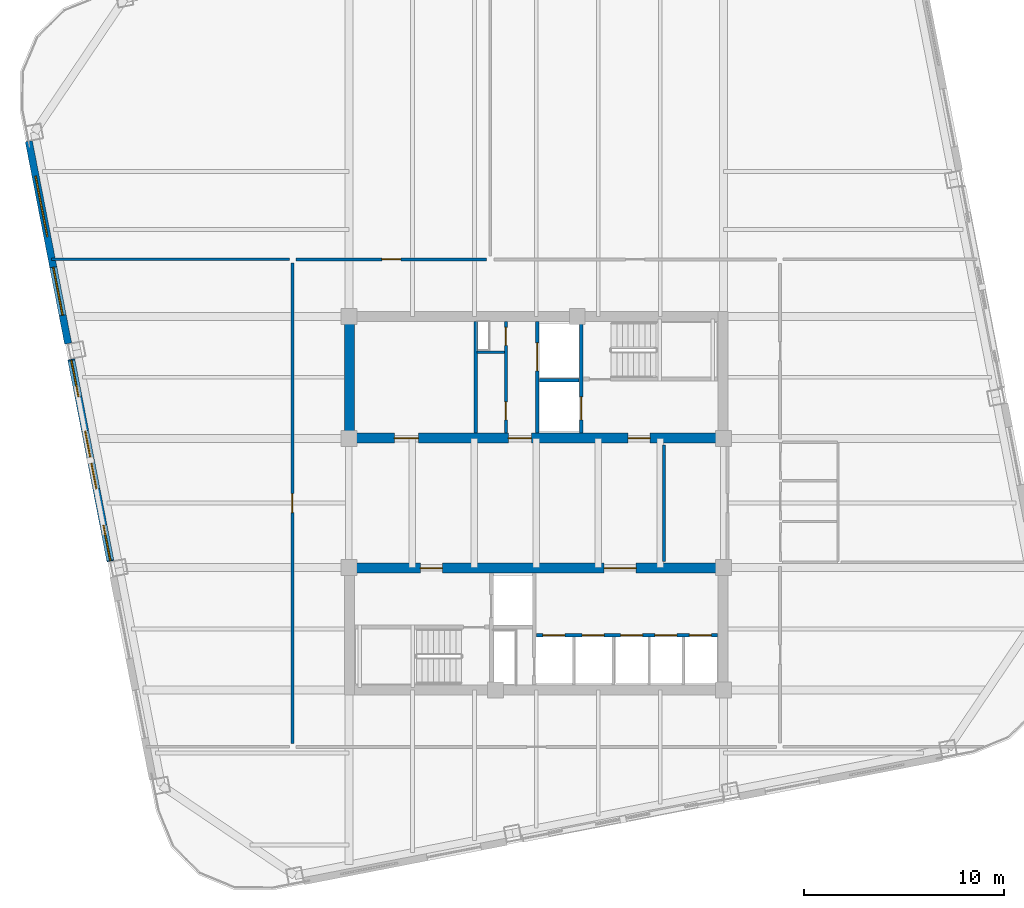
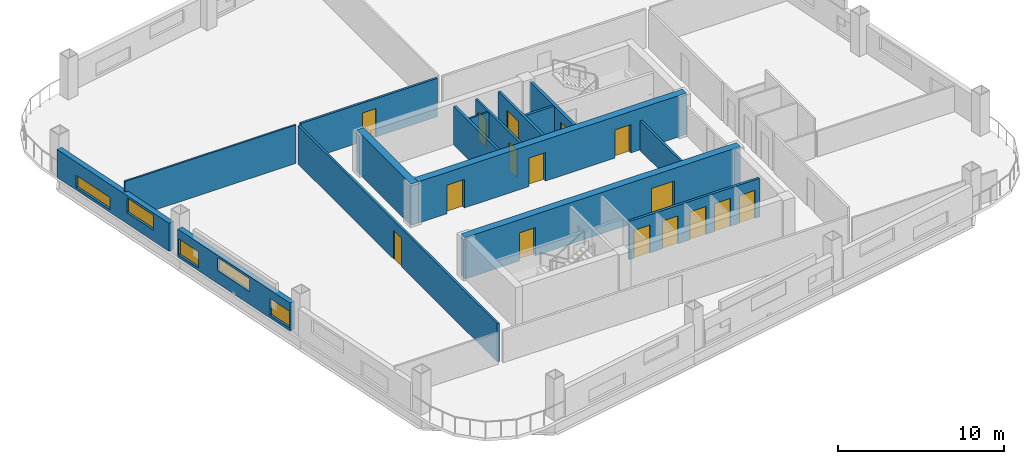
# One storey, part 3 of 8: 16 doors, 16 walls, 5 windows, 21 openings.
"""IFC4 building model written with IfcOpenShell, lengths in metres."""

from ifc_helpers import new_model, si_unit, direction, frame, frame_2d, origin, place, context, subcontext, project, spatial, rectangle, extrude, material, layer, layer_set, type_object, element, fill, save


model = new_model("IFC4")

# Units and contexts
model_context = context("Model", 3, precision=1e-05, world=origin(), true_north=direction((0.0, 1.0)))
body_context = subcontext(model_context, "Body", "Model", "MODEL_VIEW")
ifc_project = project(units=[si_unit("LENGTHUNIT", "METRE"), si_unit("AREAUNIT", "SQUARE_METRE"), si_unit("VOLUMEUNIT", "CUBIC_METRE"), si_unit("PLANEANGLEUNIT", "RADIAN"), si_unit("MASSUNIT", "GRAM", prefix="KILO")], contexts=[model_context])

# Site, building, storey
site_placement = place(None, origin())
site = spatial("IfcSite", under=ifc_project, at=site_placement, CompositionType="ELEMENT")
building_placement = place(site_placement, origin())
building = spatial("IfcBuilding", under=site, at=building_placement, Name="Qhalaya Broadcast Tower", CompositionType="ELEMENT")
storey_placement = place(building_placement, frame((0.0, 0.0, 115.85009765625)))
storey = spatial("IfcBuildingStorey", under=building, at=storey_placement, Name="L33", CompositionType="ELEMENT", Elevation=115.85009765625)

# Wall, openings, doors
ifc_material_1 = material(Name="Gypsum Acoustic Partition")
ifc_layer_1 = layer(ifc_material_1, 0.14990234375, Name="Gypsum Acoustic Partition")
ifc_layer_set_1 = layer_set([ifc_layer_1], Name="Gypsum Acoustic Partition")
wall_type_1 = type_object("IfcWallType", Name="Corridor & Tenancy Acoustic Partition 150", PredefinedType="PARTITIONING", material=ifc_layer_set_1)
wall_1_placement = place(storey_placement, frame((-1.52001953125, 4.1201171875, 0.0), z_axis=(0.0, 0.0, 1.0), x_axis=(0.0, 1.0, 0.0)))
wall_1 = element("IfcWall", 1, at=wall_1_placement, inside=storey, type_object=wall_type_1, Name="L33 Partition Wall NCW-SVL", PredefinedType="PARTITIONING", context=body_context, shape_type="SweptSolid", body=[
    extrude(rectangle(XDim=5.559814453125, YDim=0.14990234375, at=frame_2d((2.77978515625, 0.0))), origin(), (0.0, 0.0, 1.0), 2.829833984375),
])
opening_1_placement = place(wall_1_placement, frame((4.3798828125, 0.0, 0.0)))
opening_1 = element("IfcOpeningElement", 2, at=opening_1_placement, cuts=wall_1, Name="Opening D06", PredefinedType="OPENING", context=body_context, shape_type="SweptSolid", body=[
    extrude(rectangle(XDim=0.89990234375, YDim=2.050048828125, at=frame_2d((0.449951171875, 1.02490234375))), frame((0.0, 0.0869140625, 0.0), z_axis=(0.0, -1.0, 0.0), x_axis=(1.0, 0.0, 0.0)), (0.0, 0.0, 1.0), 0.173828125),
])
opening_2_placement = place(wall_1_placement, frame((0.64990234375, 0.0, 0.0)))
opening_2 = element("IfcOpeningElement", 3, at=opening_2_placement, cuts=wall_1, Name="Opening D06", PredefinedType="OPENING", context=body_context, shape_type="SweptSolid", body=[
    extrude(rectangle(XDim=0.89990234375, YDim=2.050048828125, at=frame_2d((0.449951171875, 1.02490234375))), frame((0.0, 0.0869140625, 0.0), z_axis=(0.0, -1.0, 0.0), x_axis=(1.0, 0.0, 0.0)), (0.0, 0.0, 1.0), 0.173828125),
])
ifc_material_2 = material(Name="Fire-Rated Steel Door", Category="steel")
door_type_1 = type_object("IfcDoorType", Name="Riser & Electrical Shaft Access Door D06", OperationType="NOTDEFINED", PredefinedType="DOOR", material=ifc_material_2)
door_1_placement = place(opening_1_placement, origin())
door_1 = element("IfcDoor", 4, at=door_1_placement, inside=storey, type_object=door_type_1, Name="L33 Riser Shaft Access Door D-NRSR", OperationType="SINGLE_SWING_RIGHT", OverallHeight=2.050048828125, OverallWidth=0.89990234375, PredefinedType="DOOR", context=body_context, shape_type="SweptSolid", body=[
    extrude(rectangle(XDim=0.89990234375, YDim=2.050048828125, at=frame_2d((0.449951171875, 1.02490234375))), frame((0.0, 0.02490234375, 0.0), z_axis=(0.0, -1.0, 0.0), x_axis=(1.0, 0.0, 0.0)), (0.0, 0.0, 1.0), 0.050048828125),
])
fill(opening_1, door_1)
door_2_placement = place(opening_2_placement, origin())
door_2 = element("IfcDoor", 5, at=door_2_placement, inside=storey, type_object=door_type_1, Name="L33 Door D-NCST", OperationType="SINGLE_SWING_LEFT", OverallHeight=2.050048828125, OverallWidth=0.89990234375, PredefinedType="DOOR", context=body_context, shape_type="SweptSolid", body=[
    extrude(rectangle(XDim=0.89990234375, YDim=2.050048828125, at=frame_2d((0.449951171875, 1.02490234375))), frame((0.0, 0.02490234375, 0.0), z_axis=(0.0, -1.0, 0.0), x_axis=(1.0, 0.0, 0.0)), (0.0, 0.0, 1.0), 0.050048828125),
])
fill(opening_2, door_2)

# Wall
wall_2_placement = place(storey_placement, frame((6.3798828125, -2.320068359375, 0.0), z_axis=(0.0, 0.0, 1.0), x_axis=(0.0, 1.0, 0.0)))
element("IfcWall", 6, at=wall_2_placement, inside=storey, type_object=wall_type_1, Name="L33 Partition Wall W-ICHW", PredefinedType="PARTITIONING", context=body_context, shape_type="SweptSolid", body=[
    extrude(rectangle(XDim=5.840087890625, YDim=0.14990234375, at=frame_2d((2.919921875, 0.0))), origin(), (0.0, 0.0, 1.0), 2.197998046875),
])

# Wall, opening, door
wall_3_placement = place(storey_placement, frame((-12.02001953125, 12.800048828125, 0.0), z_axis=(0.0, 0.0, 1.0), x_axis=(1.0, 0.0, 0.0)))
wall_3 = element("IfcWall", 7, at=wall_3_placement, inside=storey, type_object=wall_type_1, Name="L33 Partition Wall W-COR-01", PredefinedType="PARTITIONING", context=body_context, shape_type="SweptSolid", body=[
    extrude(rectangle(XDim=9.5400390625, YDim=0.14990234375, at=frame_2d((4.77001953125, 0.0))), origin(), (0.0, 0.0, 1.0), 2.829833984375),
])
opening_3_placement = place(wall_3_placement, frame((4.294921875, 0.0, 0.0)))
opening_3 = element("IfcOpeningElement", 8, at=opening_3_placement, cuts=wall_3, Name="Opening D10", PredefinedType="OPENING", context=body_context, shape_type="SweptSolid", body=[
    extrude(rectangle(XDim=0.949951171875, YDim=2.10009765625, at=frame_2d((0.47509765625, 1.050048828125))), frame((0.0, 0.0869140625, 0.0), z_axis=(0.0, -1.0, 0.0), x_axis=(1.0, 0.0, 0.0)), (0.0, 0.0, 1.0), 0.173828125),
])
ifc_material_3 = material(Name="Timber Veneer Acoustic Door", Category="wood")
door_type_2 = type_object("IfcDoorType", Name="Cellular Office & Edit Booth Door D10", OperationType="NOTDEFINED", PredefinedType="DOOR", material=ifc_material_3)
door_3_placement = place(opening_3_placement, origin())
door_3 = element("IfcDoor", 9, at=door_3_placement, inside=storey, type_object=door_type_2, Name="L33 Door D-RM01", OperationType="SINGLE_SWING_LEFT", OverallHeight=2.10009765625, OverallWidth=0.949951171875, PredefinedType="DOOR", context=body_context, shape_type="SweptSolid", body=[
    extrude(rectangle(XDim=0.949951171875, YDim=2.10009765625, at=frame_2d((0.47509765625, 1.050048828125))), frame((0.0, 0.02490234375, 0.0), z_axis=(0.0, -1.0, 0.0), x_axis=(1.0, 0.0, 0.0)), (0.0, 0.0, 1.0), 0.050048828125),
])
fill(opening_3, door_3)

wall_4_placement = place(storey_placement, frame((-12.199951171875, -11.419921875, 0.0), z_axis=(0.0, 0.0, 1.0), x_axis=(0.0, 1.0, 0.0)))
wall_4 = element("IfcWall", 10, at=wall_4_placement, inside=storey, type_object=wall_type_1, Name="L33 Partition Wall W-COR-04", PredefinedType="PARTITIONING", context=body_context, shape_type="SweptSolid", body=[
    extrude(rectangle(XDim=24.0400390625, YDim=0.14990234375, at=frame_2d((12.02001953125, 0.0))), origin(), (0.0, 0.0, 1.0), 2.829833984375),
])
opening_4_placement = place(wall_4_placement, frame((11.544921875, 0.0, 0.0)))
opening_4 = element("IfcOpeningElement", 11, at=opening_4_placement, cuts=wall_4, Name="Opening D10", PredefinedType="OPENING", context=body_context, shape_type="SweptSolid", body=[
    extrude(rectangle(XDim=0.949951171875, YDim=2.10009765625, at=frame_2d((0.47509765625, 1.050048828125))), frame((0.0, 0.0869140625, 0.0), z_axis=(0.0, -1.0, 0.0), x_axis=(1.0, 0.0, 0.0)), (0.0, 0.0, 1.0), 0.173828125),
])
door_4_placement = place(opening_4_placement, origin())
door_4 = element("IfcDoor", 12, at=door_4_placement, inside=storey, type_object=door_type_2, Name="L33 Door D-RM04", OperationType="SINGLE_SWING_RIGHT", OverallHeight=2.10009765625, OverallWidth=0.949951171875, PredefinedType="DOOR", context=body_context, shape_type="SweptSolid", body=[
    extrude(rectangle(XDim=0.949951171875, YDim=2.10009765625, at=frame_2d((0.47509765625, 1.050048828125))), frame((0.0, 0.02490234375, 0.0), z_axis=(0.0, -1.0, 0.0), x_axis=(1.0, 0.0, 0.0)), (0.0, 0.0, 1.0), 0.050048828125),
])
fill(opening_4, door_4)

# Wall, openings, windows
ifc_material_4 = material(Name="Precast Concrete C40/50", Category="concrete")
ifc_layer_2 = layer(ifc_material_4, 0.360107421875, Name="Precast Concrete C40/50")
ifc_layer_set_2 = layer_set([ifc_layer_2], Name="Precast Concrete C40/50")
wall_type_2 = type_object("IfcWallType", Name="Insulated Precast Terracotta Exterior Wall 360", PredefinedType="SOLIDWALL", material=ifc_layer_set_2)
wall_5_placement = place(storey_placement, frame((-21.31005859375, -2.30859375, 0.0), z_axis=(0.0, 0.0, 1.0), x_axis=(-0.190811924826, 0.981626614016, 0.0)))
wall_5 = element("IfcWall", 13, at=wall_5_placement, inside=storey, type_object=wall_type_2, Name="L33 Exoskeleton Diagrid Infill Wall W2", PredefinedType="SOLIDWALL", context=body_context, shape_type="SweptSolid", body=[
    extrude(rectangle(XDim=10.2998046875, YDim=0.360107421875, at=frame_2d((5.14990234375, 0.0))), origin(), (0.0, 0.0, 1.0), 2.06689453125),
])
opening_5_placement = place(wall_5_placement, frame((0.0380859375, 0.0, 0.199951171875)))
opening_5 = element("IfcOpeningElement", 14, at=opening_5_placement, cuts=wall_5, Name="Opening W11", PredefinedType="OPENING", context=body_context, shape_type="SweptSolid", body=[
    extrude(rectangle(XDim=1.800048828125, YDim=1.25, at=frame_2d((0.89990234375, 0.625))), frame((0.0, 0.192138671875, 0.0), z_axis=(0.0, -1.0, 0.0), x_axis=(1.0, 0.0, 0.0)), (0.0, 0.0, 1.0), 0.384033203125),
])
opening_6_placement = place(wall_5_placement, frame((3.68798828125, 0.0, 0.949951171875)))
opening_6 = element("IfcOpeningElement", 15, at=opening_6_placement, cuts=wall_5, Name="Opening W11", PredefinedType="OPENING", context=body_context, shape_type="SweptSolid", body=[
    extrude(rectangle(XDim=2.949951171875, YDim=0.949951171875, at=frame_2d((1.47509765625, 0.47509765625))), frame((0.0, 0.192138671875, 0.0), z_axis=(0.0, -1.0, 0.0), x_axis=(1.0, 0.0, 0.0)), (0.0, 0.0, 1.0), 0.384033203125),
])
opening_7_placement = place(wall_5_placement, frame((8.387939453125, 0.0, 0.199951171875)))
opening_7 = element("IfcOpeningElement", 16, at=opening_7_placement, cuts=wall_5, Name="Opening W11", PredefinedType="OPENING", context=body_context, shape_type="SweptSolid", body=[
    extrude(rectangle(XDim=1.85009765625, YDim=1.199951171875, at=frame_2d((0.925048828125, 0.60009765625))), frame((0.0, 0.192138671875, 0.0), z_axis=(0.0, -1.0, 0.0), x_axis=(1.0, 0.0, 0.0)), (0.0, 0.0, 1.0), 0.384033203125),
])
ifc_material_5 = material(Name="Solar-Control Low-E Triple Glazing", Category="glass")
window_type = type_object("IfcWindowType", Name="Odd-Block Diagrid Infill Window W11", PartitioningType="SINGLE_PANEL", PredefinedType="WINDOW", material=ifc_material_5)
window_1_placement = place(opening_5_placement, origin())
window_1 = element("IfcWindow", 17, at=window_1_placement, inside=storey, type_object=window_type, Name="L33 Diagrid Infill Window W11-W3", OverallHeight=1.25, OverallWidth=1.800048828125, PartitioningType="SINGLE_PANEL", PredefinedType="WINDOW", context=body_context, shape_type="SweptSolid", body=[
    extrude(rectangle(XDim=1.800048828125, YDim=1.25, at=frame_2d((0.89990234375, 0.625))), frame((0.0, 0.030029296875, 0.0), z_axis=(0.0, -1.0, 0.0), x_axis=(1.0, 0.0, 0.0)), (0.0, 0.0, 1.0), 0.06005859375),
])
fill(opening_5, window_1)
window_2_placement = place(opening_6_placement, origin())
window_2 = element("IfcWindow", 18, at=window_2_placement, inside=storey, type_object=window_type, Name="L33 Diagrid Infill Window W11-W4", OverallHeight=0.949951171875, OverallWidth=2.949951171875, PartitioningType="SINGLE_PANEL", PredefinedType="WINDOW", context=body_context, shape_type="SweptSolid", body=[
    extrude(rectangle(XDim=2.949951171875, YDim=0.949951171875, at=frame_2d((1.47509765625, 0.47509765625))), frame((0.0, 0.030029296875, 0.0), z_axis=(0.0, -1.0, 0.0), x_axis=(1.0, 0.0, 0.0)), (0.0, 0.0, 1.0), 0.06005859375),
])
fill(opening_6, window_2)
window_3_placement = place(opening_7_placement, origin())
window_3 = element("IfcWindow", 19, at=window_3_placement, inside=storey, type_object=window_type, Name="L33 Diagrid Infill Window W11-W5", OverallHeight=1.199951171875, OverallWidth=1.85009765625, PartitioningType="SINGLE_PANEL", PredefinedType="WINDOW", context=body_context, shape_type="SweptSolid", body=[
    extrude(rectangle(XDim=1.85009765625, YDim=1.199951171875, at=frame_2d((0.925048828125, 0.60009765625))), frame((0.0, 0.030029296875, 0.0), z_axis=(0.0, -1.0, 0.0), x_axis=(1.0, 0.0, 0.0)), (0.0, 0.0, 1.0), 0.06005859375),
])
fill(opening_7, window_3)

wall_6_placement = place(storey_placement, frame((-23.427978515625, 8.58740234375, 0.0), z_axis=(0.0, 0.0, 1.0), x_axis=(-0.190822765986, 0.981624506612, 0.0)))
wall_6 = element("IfcWall", 20, at=wall_6_placement, inside=storey, type_object=wall_type_2, Name="L33 Exoskeleton Diagrid Infill Wall W3", PredefinedType="SOLIDWALL", context=body_context, shape_type="SweptSolid", body=[
    extrude(rectangle(XDim=10.31201171875, YDim=0.360107421875, at=frame_2d((5.156005859375, 0.0))), origin(), (0.0, 0.0, 1.0), 2.06689453125),
])
opening_8_placement = place(wall_6_placement, frame((1.43798828125, 0.0, 0.800048828125)))
opening_8 = element("IfcOpeningElement", 21, at=opening_8_placement, cuts=wall_6, Name="Opening W11", PredefinedType="OPENING", context=body_context, shape_type="SweptSolid", body=[
    extrude(rectangle(XDim=2.449951171875, YDim=1.10009765625, at=frame_2d((1.22509765625, 0.550048828125))), frame((0.0, 0.192138671875, 0.0), z_axis=(0.0, -1.0, 0.0), x_axis=(1.0, 0.0, 0.0)), (0.0, 0.0, 1.0), 0.384033203125),
])
opening_9_placement = place(wall_6_placement, frame((5.43798828125, 0.0, 0.199951171875)))
opening_9 = element("IfcOpeningElement", 22, at=opening_9_placement, cuts=wall_6, Name="Opening W11", PredefinedType="OPENING", context=body_context, shape_type="SweptSolid", body=[
    extrude(rectangle(XDim=3.10009765625, YDim=0.89990234375, at=frame_2d((1.550048828125, 0.449951171875))), frame((0.0, 0.192138671875, 0.0), z_axis=(0.0, -1.0, 0.0), x_axis=(1.0, 0.0, 0.0)), (0.0, 0.0, 1.0), 0.384033203125),
])
window_4_placement = place(opening_8_placement, origin())
window_4 = element("IfcWindow", 23, at=window_4_placement, inside=storey, type_object=window_type, Name="L33 Diagrid Infill Window W11-W6", OverallHeight=1.10009765625, OverallWidth=2.449951171875, PartitioningType="SINGLE_PANEL", PredefinedType="WINDOW", context=body_context, shape_type="SweptSolid", body=[
    extrude(rectangle(XDim=2.449951171875, YDim=1.10009765625, at=frame_2d((1.22509765625, 0.550048828125))), frame((0.0, 0.030029296875, 0.0), z_axis=(0.0, -1.0, 0.0), x_axis=(1.0, 0.0, 0.0)), (0.0, 0.0, 1.0), 0.06005859375),
])
fill(opening_8, window_4)
window_5_placement = place(opening_9_placement, origin())
window_5 = element("IfcWindow", 24, at=window_5_placement, inside=storey, type_object=window_type, Name="L33 Diagrid Infill Window W11-W7", OverallHeight=0.89990234375, OverallWidth=3.10009765625, PartitioningType="SINGLE_PANEL", PredefinedType="WINDOW", context=body_context, shape_type="SweptSolid", body=[
    extrude(rectangle(XDim=3.10009765625, YDim=0.89990234375, at=frame_2d((1.550048828125, 0.449951171875))), frame((0.0, 0.030029296875, 0.0), z_axis=(0.0, -1.0, 0.0), x_axis=(1.0, 0.0, 0.0)), (0.0, 0.0, 1.0), 0.06005859375),
])
fill(opening_9, window_5)

# Wall, opening, door
ifc_material_6 = material(Name="Concrete C50/60", Category="concrete")
ifc_layer_3 = layer(ifc_material_6, 0.199951171875, Name="Concrete C50/60")
ifc_layer_set_3 = layer_set([ifc_layer_3], Name="Concrete C50/60")
wall_type_3 = type_object("IfcWallType", Name="Load-Bearing Stair Shaft Wall 200", PredefinedType="SHEAR", material=ifc_layer_set_3)
wall_7_placement = place(storey_placement, frame((2.25, 4.1201171875, 0.0), z_axis=(0.0, 0.0, 1.0), x_axis=(0.0, 1.0, 0.0)))
wall_7 = element("IfcWall", 25, at=wall_7_placement, inside=storey, type_object=wall_type_3, Name="L33 Stair Core Shear Wall NCW-FF", PredefinedType="SHEAR", context=body_context, shape_type="SweptSolid", body=[
    extrude(rectangle(XDim=5.559814453125, YDim=0.199951171875, at=frame_2d((2.77978515625, 0.0))), origin(), (0.0, 0.0, 1.0), 2.829833984375),
])
opening_10_placement = place(wall_7_placement, frame((0.64990234375, 0.0, 0.0)))
opening_10 = element("IfcOpeningElement", 26, at=opening_10_placement, cuts=wall_7, Name="Opening LD2", PredefinedType="OPENING", context=body_context, shape_type="SweptSolid", body=[
    extrude(rectangle(XDim=1.14990234375, YDim=2.080078125, at=frame_2d((0.574951171875, 1.0400390625))), frame((0.0, 0.112060546875, 0.0), z_axis=(0.0, -1.0, 0.0), x_axis=(1.0, 0.0, 0.0)), (0.0, 0.0, 1.0), 0.223876953125),
])
ifc_material_7 = material(Name="Brushed Stainless Steel Lift Door", Category="steel")
door_type_3 = type_object("IfcDoorType", Name="Firefighting Lift Sliding Landing Door LD2", OperationType="DOUBLE_DOOR_SLIDING", PredefinedType="DOOR", material=ifc_material_7)
door_5_placement = place(opening_10_placement, origin())
door_5 = element("IfcDoor", 27, at=door_5_placement, inside=storey, type_object=door_type_3, Name="L33 Door LD-FF1", OperationType="DOUBLE_DOOR_SLIDING", OverallHeight=2.080078125, OverallWidth=1.14990234375, PredefinedType="DOOR", context=body_context, shape_type="SweptSolid", body=[
    extrude(rectangle(XDim=1.14990234375, YDim=2.080078125, at=frame_2d((0.574951171875, 1.0400390625))), frame((0.0, 0.02490234375, 0.0), z_axis=(0.0, -1.0, 0.0), x_axis=(1.0, 0.0, 0.0)), (0.0, 0.0, 1.0), 0.050048828125),
])
fill(opening_10, door_5)

# Wall, openings, doors
ifc_layer_4 = layer(ifc_material_6, 0.5, Name="Concrete C50/60")
ifc_layer_set_4 = layer_set([ifc_layer_4], Name="Concrete C50/60")
wall_type_4 = type_object("IfcWallType", Name="Mid Split-Core Shear Wall 500", PredefinedType="SHEAR", material=ifc_layer_set_4)
wall_8_placement = place(storey_placement, frame((-9.60009765625, 3.85009765625, 0.0), z_axis=(0.0, 0.0, 1.0), x_axis=(1.0, 0.0, 0.0)))
wall_8 = element("IfcWall", 28, at=wall_8_placement, inside=storey, type_object=wall_type_4, Name="L33 Split-Core Shear Wall CW-NS", PredefinedType="SHEAR", context=body_context, shape_type="SweptSolid", body=[
    extrude(rectangle(XDim=19.2001953125, YDim=0.5, at=frame_2d((9.60009765625, 0.0))), origin(), (0.0, 0.0, 1.0), 3.0498046875),
])
opening_11_placement = place(wall_8_placement, frame((14.199951171875, 0.0, 0.0)))
opening_11 = element("IfcOpeningElement", 29, at=opening_11_placement, cuts=wall_8, Name="Opening D04", PredefinedType="OPENING", context=body_context, shape_type="SweptSolid", body=[
    extrude(rectangle(XDim=1.10009765625, YDim=2.080078125, at=frame_2d((0.550048828125, 1.0400390625))), frame((0.0, 0.261962890625, 0.0), z_axis=(0.0, -1.0, 0.0), x_axis=(1.0, 0.0, 0.0)), (0.0, 0.0, 1.0), 0.52392578125),
])
opening_12_placement = place(wall_8_placement, frame((8.199951171875, 0.0, 0.0)))
opening_12 = element("IfcOpeningElement", 30, at=opening_12_placement, cuts=wall_8, Name="Opening D05", PredefinedType="OPENING", context=body_context, shape_type="SweptSolid", body=[
    extrude(rectangle(XDim=1.14990234375, YDim=2.10009765625, at=frame_2d((0.574951171875, 1.050048828125))), frame((0.0, 0.261962890625, 0.0), z_axis=(0.0, -1.0, 0.0), x_axis=(1.0, 0.0, 0.0)), (0.0, 0.0, 1.0), 0.52392578125),
])
opening_13_placement = place(wall_8_placement, frame((2.5, 0.0, 0.0)))
opening_13 = element("IfcOpeningElement", 31, at=opening_13_placement, cuts=wall_8, Name="Opening D11", PredefinedType="OPENING", context=body_context, shape_type="SweptSolid", body=[
    extrude(rectangle(XDim=1.199951171875, YDim=2.10009765625, at=frame_2d((0.60009765625, 1.050048828125))), frame((0.0, 0.261962890625, 0.0), z_axis=(0.0, -1.0, 0.0), x_axis=(1.0, 0.0, 0.0)), (0.0, 0.0, 1.0), 0.52392578125),
])
ifc_material_8 = material(Name="Anodised Aluminium Glazed Door", Category="aluminium")
door_type_4 = type_object("IfcDoorType", Name="Conference, Boardroom & Studio Control Door D11", OperationType="NOTDEFINED", PredefinedType="DOOR", material=ifc_material_8)
door_6_placement = place(opening_13_placement, origin())
door_6 = element("IfcDoor", 32, at=door_6_placement, inside=storey, type_object=door_type_4, Name="L33 Door D-NREC1", OperationType="SINGLE_SWING_LEFT", OverallHeight=2.10009765625, OverallWidth=1.199951171875, PredefinedType="DOOR", context=body_context, shape_type="SweptSolid", body=[
    extrude(rectangle(XDim=1.199951171875, YDim=2.10009765625, at=frame_2d((0.60009765625, 1.050048828125))), frame((0.0, 0.02490234375, 0.0), z_axis=(0.0, -1.0, 0.0), x_axis=(1.0, 0.0, 0.0)), (0.0, 0.0, 1.0), 0.050048828125),
])
fill(opening_13, door_6)
door_type_5 = type_object("IfcDoorType", Name="Firefighting Lobby Rated Door D04", OperationType="NOTDEFINED", PredefinedType="DOOR", material=ifc_material_2)
door_7_placement = place(opening_11_placement, origin())
door_7 = element("IfcDoor", 33, at=door_7_placement, inside=storey, type_object=door_type_5, Name="L33 Door D-NFF", OperationType="SINGLE_SWING_RIGHT", OverallHeight=2.080078125, OverallWidth=1.10009765625, PredefinedType="DOOR", context=body_context, shape_type="SweptSolid", body=[
    extrude(rectangle(XDim=1.10009765625, YDim=2.080078125, at=frame_2d((0.550048828125, 1.0400390625))), frame((0.0, 0.02490234375, 0.0), z_axis=(0.0, -1.0, 0.0), x_axis=(1.0, 0.0, 0.0)), (0.0, 0.0, 1.0), 0.050048828125),
])
fill(opening_11, door_7)
door_type_6 = type_object("IfcDoorType", Name="Refuge & Plant Room Fire Door D05", OperationType="NOTDEFINED", PredefinedType="DOOR", material=ifc_material_2)
door_8_placement = place(opening_12_placement, origin())
door_8 = element("IfcDoor", 34, at=door_8_placement, inside=storey, type_object=door_type_6, Name="L33 Door D-NSVL", OperationType="SINGLE_SWING_LEFT", OverallHeight=2.10009765625, OverallWidth=1.14990234375, PredefinedType="DOOR", context=body_context, shape_type="SweptSolid", body=[
    extrude(rectangle(XDim=1.14990234375, YDim=2.10009765625, at=frame_2d((0.574951171875, 1.050048828125))), frame((0.0, 0.02490234375, 0.0), z_axis=(0.0, -1.0, 0.0), x_axis=(1.0, 0.0, 0.0)), (0.0, 0.0, 1.0), 0.050048828125),
])
fill(opening_12, door_8)

# Wall
wall_9_placement = place(storey_placement, frame((-9.35009765625, 3.60009765625, 0.0), z_axis=(0.0, 0.0, 1.0), x_axis=(0.0, 1.0, 0.0)))
element("IfcWall", 35, at=wall_9_placement, inside=storey, type_object=wall_type_4, Name="L33 Split-Core Shear Wall CW-NW", PredefinedType="SHEAR", context=body_context, shape_type="SweptSolid", body=[
    extrude(rectangle(XDim=6.599853515625, YDim=0.5, at=frame_2d((3.2998046875, 0.0))), origin(), (0.0, 0.0, 1.0), 3.0498046875),
])

# Wall, openings, doors
wall_10_placement = place(storey_placement, frame((-9.60009765625, -2.64990234375, 0.0), z_axis=(0.0, 0.0, 1.0), x_axis=(1.0, 0.0, 0.0)))
wall_10 = element("IfcWall", 36, at=wall_10_placement, inside=storey, type_object=wall_type_4, Name="L33 Split-Core Shear Wall CW-SN", PredefinedType="SHEAR", context=body_context, shape_type="SweptSolid", body=[
    extrude(rectangle(XDim=19.2001953125, YDim=0.5, at=frame_2d((9.60009765625, 0.0))), origin(), (0.0, 0.0, 1.0), 3.0498046875),
])
opening_14_placement = place(wall_10_placement, frame((3.800048828125, 0.0, 0.0)))
opening_14 = element("IfcOpeningElement", 37, at=opening_14_placement, cuts=wall_10, Name="Opening D04", PredefinedType="OPENING", context=body_context, shape_type="SweptSolid", body=[
    extrude(rectangle(XDim=1.10009765625, YDim=2.080078125, at=frame_2d((0.550048828125, 1.0400390625))), frame((0.0, 0.261962890625, 0.0), z_axis=(0.0, -1.0, 0.0), x_axis=(1.0, 0.0, 0.0)), (0.0, 0.0, 1.0), 0.52392578125),
])
opening_15_placement = place(wall_10_placement, frame((13.0, 0.0, 0.0)))
opening_15 = element("IfcOpeningElement", 38, at=opening_15_placement, cuts=wall_10, Name="Opening D07", PredefinedType="OPENING", context=body_context, shape_type="SweptSolid", body=[
    extrude(rectangle(XDim=1.60009765625, YDim=2.1201171875, at=frame_2d((0.800048828125, 1.06005859375))), frame((0.0, 0.261962890625, 0.0), z_axis=(0.0, -1.0, 0.0), x_axis=(1.0, 0.0, 0.0)), (0.0, 0.0, 1.0), 0.52392578125),
])
door_9_placement = place(opening_14_placement, origin())
door_9 = element("IfcDoor", 39, at=door_9_placement, inside=storey, type_object=door_type_5, Name="L33 Door D-SFF", OperationType="SINGLE_SWING_LEFT", OverallHeight=2.080078125, OverallWidth=1.10009765625, PredefinedType="DOOR", context=body_context, shape_type="SweptSolid", body=[
    extrude(rectangle(XDim=1.10009765625, YDim=2.080078125, at=frame_2d((0.550048828125, 1.0400390625))), frame((0.0, 0.02490234375, 0.0), z_axis=(0.0, -1.0, 0.0), x_axis=(1.0, 0.0, 0.0)), (0.0, 0.0, 1.0), 0.050048828125),
])
fill(opening_14, door_9)
door_type_7 = type_object("IfcDoorType", Name="Passenger Lift Lobby Double Glazed Door D07", OperationType="DOUBLE_DOOR_SINGLE_SWING", PredefinedType="DOOR", material=ifc_material_8)
door_10_placement = place(opening_15_placement, origin())
door_10 = element("IfcDoor", 40, at=door_10_placement, inside=storey, type_object=door_type_7, Name="L33 Door D-SPLL", OperationType="DOUBLE_DOOR_SINGLE_SWING", OverallHeight=2.1201171875, OverallWidth=1.60009765625, PredefinedType="DOOR", context=body_context, shape_type="SweptSolid", body=[
    extrude(rectangle(XDim=1.60009765625, YDim=2.1201171875, at=frame_2d((0.800048828125, 1.06005859375))), frame((0.0, 0.02490234375, 0.0), z_axis=(0.0, -1.0, 0.0), x_axis=(1.0, 0.0, 0.0)), (0.0, 0.0, 1.0), 0.050048828125),
])
fill(opening_15, door_10)

# Walls
ifc_layer_5 = layer(ifc_material_1, 0.1201171875, Name="Gypsum Acoustic Partition")
ifc_layer_set_5 = layer_set([ifc_layer_5], Name="Gypsum Acoustic Partition")
wall_type_5 = type_object("IfcWallType", Name="Office, Booth & Sanitary Partition 120", PredefinedType="PARTITIONING", material=ifc_layer_set_5)
wall_11_placement = place(storey_placement, frame((-2.9599609375, 8.14990234375, 0.0), z_axis=(0.0, 0.0, 1.0), x_axis=(1.0, 0.0, 0.0)))
element("IfcWall", 41, at=wall_11_placement, inside=storey, type_object=wall_type_5, Name="L33 Partition Wall NCW-VA", PredefinedType="PARTITIONING", context=body_context, shape_type="SweptSolid", body=[
    extrude(rectangle(XDim=1.35986328125, YDim=0.1201171875, at=frame_2d((0.679931640625, 0.0))), origin(), (0.0, 0.0, 1.0), 2.829833984375),
])
wall_12_placement = place(storey_placement, frame((-24.267333984375, 12.800048828125, 0.0), z_axis=(0.0, 0.0, 1.0), x_axis=(1.0, 0.0, 0.0)))
element("IfcWall", 42, at=wall_12_placement, inside=storey, type_object=wall_type_5, Name="L33 Partition Wall W-BNDW1", PredefinedType="PARTITIONING", context=body_context, shape_type="SweptSolid", body=[
    extrude(rectangle(XDim=11.92724609375, YDim=0.1201171875, at=frame_2d((5.963623046875, 0.0))), origin(), (0.0, 0.0, 1.0), 2.829833984375),
])

# Wall, opening, door
ifc_layer_6 = layer(ifc_material_1, 0.175048828125, Name="Gypsum Acoustic Partition")
ifc_layer_set_6 = layer_set([ifc_layer_6], Name="Gypsum Acoustic Partition")
wall_type_6 = type_object("IfcWallType", Name="Shaft & Riser Fire Partition 175", PredefinedType="PARTITIONING", material=ifc_layer_set_6)
wall_13_placement = place(storey_placement, frame((0.06005859375, 4.1201171875, 0.0), z_axis=(0.0, 0.0, 1.0), x_axis=(0.0, 1.0, 0.0)))
wall_13 = element("IfcWall", 43, at=wall_13_placement, inside=storey, type_object=wall_type_6, Name="L33 Partition Wall NCW-SVW", PredefinedType="PARTITIONING", context=body_context, shape_type="SweptSolid", body=[
    extrude(rectangle(XDim=5.559814453125, YDim=0.175048828125, at=frame_2d((2.77978515625, 0.0))), origin(), (0.0, 0.0, 1.0), 2.829833984375),
])
opening_16_placement = place(wall_13_placement, frame((3.10009765625, 0.0, 0.0)))
opening_16 = element("IfcOpeningElement", 44, at=opening_16_placement, cuts=wall_13, Name="Opening LD3", PredefinedType="OPENING", context=body_context, shape_type="SweptSolid", body=[
    extrude(rectangle(XDim=1.39990234375, YDim=2.1201171875, at=frame_2d((0.699951171875, 1.06005859375))), frame((0.0, 0.099609375, 0.0), z_axis=(0.0, -1.0, 0.0), x_axis=(1.0, 0.0, 0.0)), (0.0, 0.0, 1.0), 0.198974609375),
])
door_type_8 = type_object("IfcDoorType", Name="Service Lift Wide Sliding Landing Door LD3", OperationType="DOUBLE_DOOR_SLIDING", PredefinedType="DOOR", material=ifc_material_7)
door_11_placement = place(opening_16_placement, origin())
door_11 = element("IfcDoor", 45, at=door_11_placement, inside=storey, type_object=door_type_8, Name="L33 Door LD-SV1", OperationType="DOUBLE_DOOR_SLIDING", OverallHeight=2.1201171875, OverallWidth=1.39990234375, PredefinedType="DOOR", context=body_context, shape_type="SweptSolid", body=[
    extrude(rectangle(XDim=1.39990234375, YDim=2.1201171875, at=frame_2d((0.699951171875, 1.06005859375))), frame((0.0, 0.02490234375, 0.0), z_axis=(0.0, -1.0, 0.0), x_axis=(1.0, 0.0, 0.0)), (0.0, 0.0, 1.0), 0.050048828125),
])
fill(opening_16, door_11)

# Walls
wall_14_placement = place(storey_placement, frame((0.159912109375, 6.75, 0.0), z_axis=(0.0, 0.0, 1.0), x_axis=(1.0, 0.0, 0.0)))
element("IfcWall", 46, at=wall_14_placement, inside=storey, type_object=wall_type_6, Name="L33 Partition Wall NCW-SVM", PredefinedType="PARTITIONING", context=body_context, shape_type="SweptSolid", body=[
    extrude(rectangle(XDim=1.97998046875, YDim=0.175048828125, at=frame_2d((0.989990234375, 0.0))), origin(), (0.0, 0.0, 1.0), 2.829833984375),
])
wall_15_placement = place(storey_placement, frame((-3.0400390625, 4.1201171875, 0.0), z_axis=(0.0, 0.0, 1.0), x_axis=(0.0, 1.0, 0.0)))
element("IfcWall", 47, at=wall_15_placement, inside=storey, type_object=wall_type_6, Name="L33 Partition Wall NCW-VRW", PredefinedType="PARTITIONING", context=body_context, shape_type="SweptSolid", body=[
    extrude(rectangle(XDim=5.559814453125, YDim=0.175048828125, at=frame_2d((2.77978515625, 0.0))), origin(), (0.0, 0.0, 1.0), 2.829833984375),
])

# Wall, openings, doors
wall_16_placement = place(storey_placement, frame((0.0, -6.02001953125, 0.0), z_axis=(0.0, 0.0, 1.0), x_axis=(1.0, 0.0, 0.0)))
wall_16 = element("IfcWall", 48, at=wall_16_placement, inside=storey, type_object=wall_type_6, Name="L33 Partition Wall SCW-SLB", PredefinedType="PARTITIONING", context=body_context, shape_type="SweptSolid", body=[
    extrude(rectangle(XDim=9.080078125, YDim=0.175048828125, at=frame_2d((4.5400390625, 0.0))), origin(), (0.0, 0.0, 1.0), 2.829833984375),
])
opening_17_placement = place(wall_16_placement, frame((0.330078125, 0.0, 0.0)))
opening_17 = element("IfcOpeningElement", 49, at=opening_17_placement, cuts=wall_16, Name="Opening LD1", PredefinedType="OPENING", context=body_context, shape_type="SweptSolid", body=[
    extrude(rectangle(XDim=1.10009765625, YDim=2.06005859375, at=frame_2d((0.550048828125, 1.030029296875))), frame((0.0, 0.099609375, 0.0), z_axis=(0.0, -1.0, 0.0), x_axis=(1.0, 0.0, 0.0)), (0.0, 0.0, 1.0), 0.198974609375),
])
opening_18_placement = place(wall_16_placement, frame((2.300048828125, 0.0, 0.0)))
opening_18 = element("IfcOpeningElement", 50, at=opening_18_placement, cuts=wall_16, Name="Opening LD1", PredefinedType="OPENING", context=body_context, shape_type="SweptSolid", body=[
    extrude(rectangle(XDim=1.10009765625, YDim=2.06005859375, at=frame_2d((0.550048828125, 1.030029296875))), frame((0.0, 0.099609375, 0.0), z_axis=(0.0, -1.0, 0.0), x_axis=(1.0, 0.0, 0.0)), (0.0, 0.0, 1.0), 0.198974609375),
])
opening_19_placement = place(wall_16_placement, frame((4.219970703125, 0.0, 0.0)))
opening_19 = element("IfcOpeningElement", 51, at=opening_19_placement, cuts=wall_16, Name="Opening LD1", PredefinedType="OPENING", context=body_context, shape_type="SweptSolid", body=[
    extrude(rectangle(XDim=1.10009765625, YDim=2.06005859375, at=frame_2d((0.550048828125, 1.030029296875))), frame((0.0, 0.099609375, 0.0), z_axis=(0.0, -1.0, 0.0), x_axis=(1.0, 0.0, 0.0)), (0.0, 0.0, 1.0), 0.198974609375),
])
opening_20_placement = place(wall_16_placement, frame((5.93994140625, 0.0, 0.0)))
opening_20 = element("IfcOpeningElement", 52, at=opening_20_placement, cuts=wall_16, Name="Opening LD1", PredefinedType="OPENING", context=body_context, shape_type="SweptSolid", body=[
    extrude(rectangle(XDim=1.10009765625, YDim=2.06005859375, at=frame_2d((0.550048828125, 1.030029296875))), frame((0.0, 0.099609375, 0.0), z_axis=(0.0, -1.0, 0.0), x_axis=(1.0, 0.0, 0.0)), (0.0, 0.0, 1.0), 0.198974609375),
])
opening_21_placement = place(wall_16_placement, frame((7.659912109375, 0.0, 0.0)))
opening_21 = element("IfcOpeningElement", 53, at=opening_21_placement, cuts=wall_16, Name="Opening LD1", PredefinedType="OPENING", context=body_context, shape_type="SweptSolid", body=[
    extrude(rectangle(XDim=1.10009765625, YDim=2.06005859375, at=frame_2d((0.550048828125, 1.030029296875))), frame((0.0, 0.099609375, 0.0), z_axis=(0.0, -1.0, 0.0), x_axis=(1.0, 0.0, 0.0)), (0.0, 0.0, 1.0), 0.198974609375),
])
door_type_9 = type_object("IfcDoorType", Name="Passenger Lift Sliding Landing Door LD1", OperationType="DOUBLE_DOOR_SLIDING", PredefinedType="DOOR", material=ifc_material_7)
door_12_placement = place(opening_17_placement, origin())
door_12 = element("IfcDoor", 54, at=door_12_placement, inside=storey, type_object=door_type_9, Name="L33 Door LD-P4", OperationType="DOUBLE_DOOR_SLIDING", OverallHeight=2.06005859375, OverallWidth=1.10009765625, PredefinedType="DOOR", context=body_context, shape_type="SweptSolid", body=[
    extrude(rectangle(XDim=1.10009765625, YDim=2.06005859375, at=frame_2d((0.550048828125, 1.030029296875))), frame((0.0, 0.02490234375, 0.0), z_axis=(0.0, -1.0, 0.0), x_axis=(1.0, 0.0, 0.0)), (0.0, 0.0, 1.0), 0.050048828125),
])
fill(opening_17, door_12)
door_13_placement = place(opening_18_placement, origin())
door_13 = element("IfcDoor", 55, at=door_13_placement, inside=storey, type_object=door_type_9, Name="L33 Door LD-P5", OperationType="DOUBLE_DOOR_SLIDING", OverallHeight=2.06005859375, OverallWidth=1.10009765625, PredefinedType="DOOR", context=body_context, shape_type="SweptSolid", body=[
    extrude(rectangle(XDim=1.10009765625, YDim=2.06005859375, at=frame_2d((0.550048828125, 1.030029296875))), frame((0.0, 0.02490234375, 0.0), z_axis=(0.0, -1.0, 0.0), x_axis=(1.0, 0.0, 0.0)), (0.0, 0.0, 1.0), 0.050048828125),
])
fill(opening_18, door_13)
door_14_placement = place(opening_19_placement, origin())
door_14 = element("IfcDoor", 56, at=door_14_placement, inside=storey, type_object=door_type_9, Name="L33 Door LD-P6", OperationType="DOUBLE_DOOR_SLIDING", OverallHeight=2.06005859375, OverallWidth=1.10009765625, PredefinedType="DOOR", context=body_context, shape_type="SweptSolid", body=[
    extrude(rectangle(XDim=1.10009765625, YDim=2.06005859375, at=frame_2d((0.550048828125, 1.030029296875))), frame((0.0, 0.02490234375, 0.0), z_axis=(0.0, -1.0, 0.0), x_axis=(1.0, 0.0, 0.0)), (0.0, 0.0, 1.0), 0.050048828125),
])
fill(opening_19, door_14)
door_15_placement = place(opening_20_placement, origin())
door_15 = element("IfcDoor", 57, at=door_15_placement, inside=storey, type_object=door_type_9, Name="L33 Door LD-P7", OperationType="DOUBLE_DOOR_SLIDING", OverallHeight=2.06005859375, OverallWidth=1.10009765625, PredefinedType="DOOR", context=body_context, shape_type="SweptSolid", body=[
    extrude(rectangle(XDim=1.10009765625, YDim=2.06005859375, at=frame_2d((0.550048828125, 1.030029296875))), frame((0.0, 0.02490234375, 0.0), z_axis=(0.0, -1.0, 0.0), x_axis=(1.0, 0.0, 0.0)), (0.0, 0.0, 1.0), 0.050048828125),
])
fill(opening_20, door_15)
door_16_placement = place(opening_21_placement, origin())
door_16 = element("IfcDoor", 58, at=door_16_placement, inside=storey, type_object=door_type_9, Name="L33 Door LD-P8", OperationType="DOUBLE_DOOR_SLIDING", OverallHeight=2.06005859375, OverallWidth=1.10009765625, PredefinedType="DOOR", context=body_context, shape_type="SweptSolid", body=[
    extrude(rectangle(XDim=1.10009765625, YDim=2.06005859375, at=frame_2d((0.550048828125, 1.030029296875))), frame((0.0, 0.02490234375, 0.0), z_axis=(0.0, -1.0, 0.0), x_axis=(1.0, 0.0, 0.0)), (0.0, 0.0, 1.0), 0.050048828125),
])
fill(opening_21, door_16)

save(model, "model.ifc")
